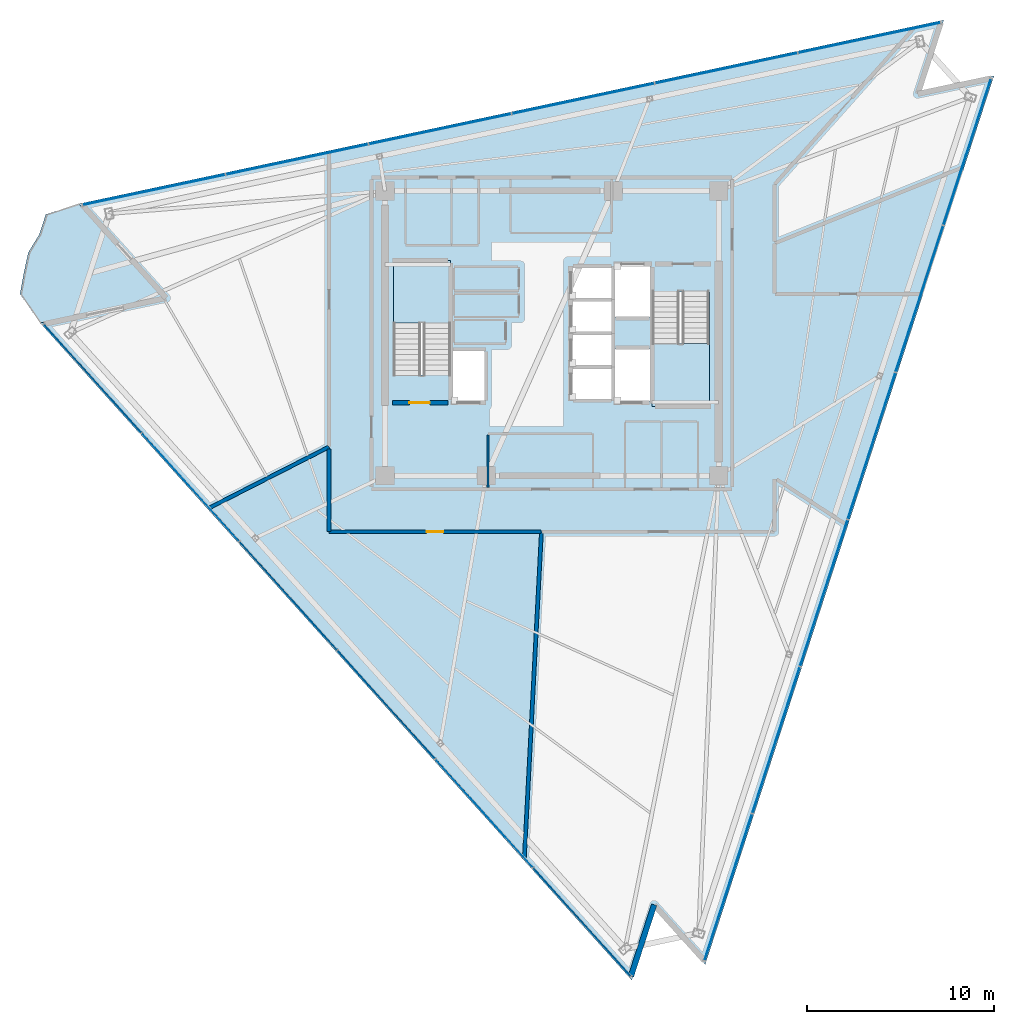
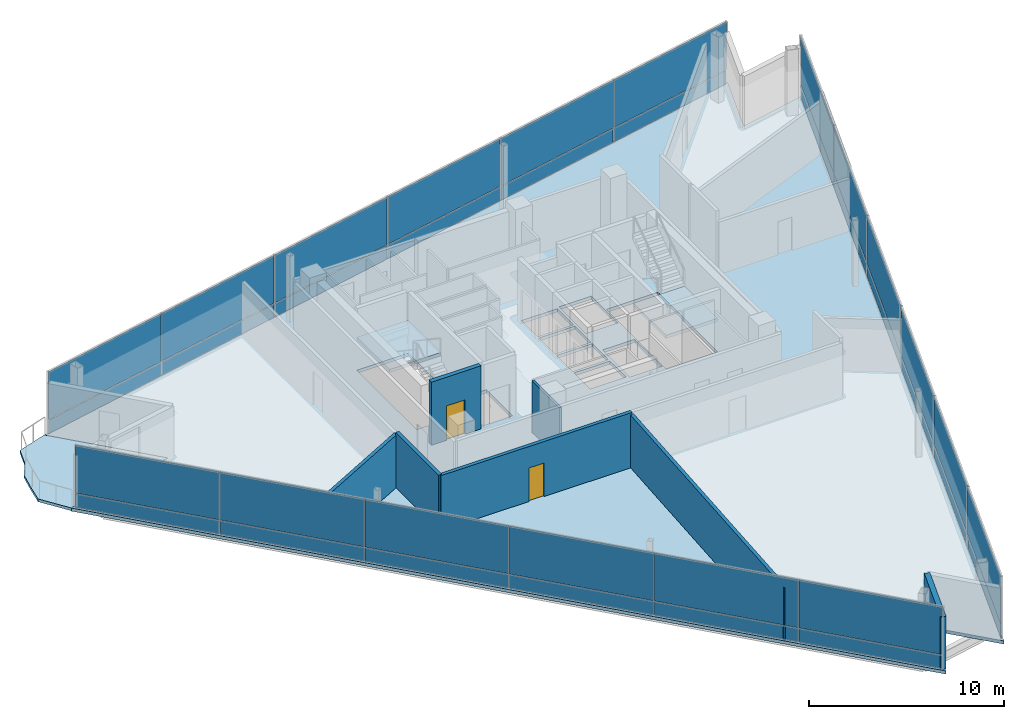
# One storey, part 10 of 17: 36 plates, 7 walls, 4 slabs, 2 doors, 2 openings, 5 elements without a shape of their own.
"""IFC4 building model written with IfcOpenShell, lengths in metres."""

from ifc_helpers import new_model, si_unit, direction, frame, frame_2d, origin, origin_2d, place, context, subcontext, project, spatial, polyline, rectangle, outline, extrude, material, layer, layer_set, type_object, element, fill, aggregate, save


model = new_model("IFC4")

# Units and contexts
model_context = context("Model", 3, precision=1e-05, world=origin(), true_north=direction((0.0, 1.0)))
body_context = subcontext(model_context, "Body", "Model", "MODEL_VIEW")
ifc_project = project(units=[si_unit("LENGTHUNIT", "METRE"), si_unit("AREAUNIT", "SQUARE_METRE"), si_unit("VOLUMEUNIT", "CUBIC_METRE"), si_unit("PLANEANGLEUNIT", "RADIAN"), si_unit("MASSUNIT", "GRAM", prefix="KILO")], contexts=[model_context])

# Site, building, storey
site_placement = place(None, origin())
site = spatial("IfcSite", under=ifc_project, at=site_placement, CompositionType="ELEMENT")
building_placement = place(site_placement, origin())
building = spatial("IfcBuilding", under=site, at=building_placement, Name="Tharavind Bronze Gate", CompositionType="ELEMENT")
storey_placement = place(building_placement, frame((0.0, 0.0, 298.0)))
storey = spatial("IfcBuildingStorey", under=building, at=storey_placement, Name="L77", CompositionType="ELEMENT", Elevation=298.0)

# Curtain wall, plates
ifc_material_1 = material(Name="Anodised Bronze Aluminium", Category="aluminium")
ifc_layer_1 = layer(ifc_material_1, 0.219970703125)
ifc_layer_set_1 = layer_set([ifc_layer_1], Name="Anodised Bronze Aluminium")
curtain_wall_type = type_object("IfcCurtainWallType", Name="UNITISED CURTAIN WALL CROWN", PredefinedType="USERDEFINED", material=ifc_layer_set_1)
curtain_wall_1_placement = place(storey_placement, origin())
curtain_wall_1 = element("IfcCurtainWall", 1, at=curtain_wall_1_placement, inside=storey, type_object=curtain_wall_type, Name="L77 unitised curtain wall crown CW-L77-S1", ObjectType="UNITISED CURTAIN WALL", PredefinedType="USERDEFINED")
ifc_material_2 = material(Name="Patinated Bronze Alloy Sheet", Category="bronze")
ifc_layer_2 = layer(ifc_material_2, 0.01611328125)
ifc_layer_set_2 = layer_set([ifc_layer_2], Name="Patinated Bronze Alloy Sheet")
plate_type_1 = type_object("IfcPlateType", Name="BRONZE SPANDREL CLADDING PANEL 16", PredefinedType="CURTAIN_PANEL", material=ifc_layer_set_2)
plate_1_placement = place(storey_placement, frame((-24.494873046875, -2.404052734375, 0.0263671875), z_axis=(0.0, 0.0, 1.0), x_axis=(0.669130606359, -0.743144825477, 0.0)))
plate_1 = element("IfcPlate", 2, at=plate_1_placement, type_object=plate_type_1, Name="CW-L77-S1 bronze spandrel panel 1", PredefinedType="CURTAIN_PANEL", context=body_context, shape_type="SweptSolid", body=[
    extrude(rectangle(XDim=7.749755859375, YDim=0.01611328125, at=origin_2d()), origin(), (0.0, 0.0, 1.0), 0.846923828125),
])
plate_2_placement = place(storey_placement, frame((-19.273681640625, -8.20263671875, 0.0263671875), z_axis=(0.0, 0.0, 1.0), x_axis=(0.669130606359, -0.743144825477, 0.0)))
plate_2 = element("IfcPlate", 3, at=plate_2_placement, type_object=plate_type_1, Name="CW-L77-S1 bronze spandrel panel 2", PredefinedType="CURTAIN_PANEL", context=body_context, shape_type="SweptSolid", body=[
    extrude(rectangle(XDim=7.749755859375, YDim=0.01611328125, at=origin_2d()), origin(), (0.0, 0.0, 1.0), 0.846923828125),
])
plate_3_placement = place(storey_placement, frame((-14.052734375, -14.001220703125, 0.0263671875), z_axis=(0.0, 0.0, 1.0), x_axis=(0.669130606359, -0.743144825477, 0.0)))
plate_3 = element("IfcPlate", 4, at=plate_3_placement, type_object=plate_type_1, Name="CW-L77-S1 bronze spandrel panel 3", PredefinedType="CURTAIN_PANEL", context=body_context, shape_type="SweptSolid", body=[
    extrude(rectangle(XDim=7.749755859375, YDim=0.01611328125, at=origin_2d()), origin(), (0.0, 0.0, 1.0), 0.846923828125),
])
plate_4_placement = place(storey_placement, frame((-8.831787109375, -19.7998046875, 0.0263671875), z_axis=(0.0, 0.0, 1.0), x_axis=(0.669130606359, -0.743144825477, 0.0)))
plate_4 = element("IfcPlate", 5, at=plate_4_placement, type_object=plate_type_1, Name="CW-L77-S1 bronze spandrel panel 4", PredefinedType="CURTAIN_PANEL", context=body_context, shape_type="SweptSolid", body=[
    extrude(rectangle(XDim=7.749755859375, YDim=0.01611328125, at=origin_2d()), origin(), (0.0, 0.0, 1.0), 0.846923828125),
])
plate_5_placement = place(storey_placement, frame((-3.610595703125, -25.59814453125, 0.0263671875), z_axis=(0.0, 0.0, 1.0), x_axis=(0.669130606359, -0.743144825477, 0.0)))
plate_5 = element("IfcPlate", 6, at=plate_5_placement, type_object=plate_type_1, Name="CW-L77-S1 bronze spandrel panel 5", PredefinedType="CURTAIN_PANEL", context=body_context, shape_type="SweptSolid", body=[
    extrude(rectangle(XDim=7.749755859375, YDim=0.01611328125, at=origin_2d()), origin(), (0.0, 0.0, 1.0), 0.846923828125),
])
plate_6_placement = place(storey_placement, frame((1.6103515625, -31.396728515625, 0.0263671875), z_axis=(0.0, 0.0, 1.0), x_axis=(0.669130606359, -0.743144825477, 0.0)))
plate_6 = element("IfcPlate", 7, at=plate_6_placement, type_object=plate_type_1, Name="CW-L77-S1 bronze spandrel panel 6", PredefinedType="CURTAIN_PANEL", context=body_context, shape_type="SweptSolid", body=[
    extrude(rectangle(XDim=7.749755859375, YDim=0.01611328125, at=origin_2d()), origin(), (0.0, 0.0, 1.0), 0.846923828125),
])

curtain_wall_2_placement = place(storey_placement, origin())
curtain_wall_2 = element("IfcCurtainWall", 8, at=curtain_wall_2_placement, inside=storey, type_object=curtain_wall_type, Name="L77 unitised curtain wall crown CW-L77-S2", ObjectType="UNITISED CURTAIN WALL", PredefinedType="USERDEFINED")
plate_7_placement = place(storey_placement, frame((9.41552734375, -29.54052734375, 0.0263671875), z_axis=(0.0, 0.0, 1.0), x_axis=(0.309016994375, 0.951056516295, 0.0)))
plate_7 = element("IfcPlate", 9, at=plate_7_placement, type_object=plate_type_1, Name="CW-L77-S2 bronze spandrel panel 1", PredefinedType="CURTAIN_PANEL", context=body_context, shape_type="SweptSolid", body=[
    extrude(rectangle(XDim=8.195068359375, YDim=0.01611328125, at=origin_2d()), origin(), (0.0, 0.0, 1.0), 0.846923828125),
])
plate_8_placement = place(storey_placement, frame((11.96435546875, -21.6962890625, 0.0263671875), z_axis=(0.0, 0.0, 1.0), x_axis=(0.309016994375, 0.951056516295, 0.0)))
plate_8 = element("IfcPlate", 10, at=plate_8_placement, type_object=plate_type_1, Name="CW-L77-S2 bronze spandrel panel 2", PredefinedType="CURTAIN_PANEL", context=body_context, shape_type="SweptSolid", body=[
    extrude(rectangle(XDim=8.195068359375, YDim=0.01611328125, at=origin_2d()), origin(), (0.0, 0.0, 1.0), 0.846923828125),
])
plate_9_placement = place(storey_placement, frame((14.51318359375, -13.851806640625, 0.0263671875), z_axis=(0.0, 0.0, 1.0), x_axis=(0.309016994375, 0.951056516295, 0.0)))
plate_9 = element("IfcPlate", 11, at=plate_9_placement, type_object=plate_type_1, Name="CW-L77-S2 bronze spandrel panel 3", PredefinedType="CURTAIN_PANEL", context=body_context, shape_type="SweptSolid", body=[
    extrude(rectangle(XDim=8.195068359375, YDim=0.01611328125, at=origin_2d()), origin(), (0.0, 0.0, 1.0), 0.846923828125),
])
plate_10_placement = place(storey_placement, frame((17.06201171875, -6.007568359375, 0.0263671875), z_axis=(0.0, 0.0, 1.0), x_axis=(0.309016994375, 0.951056516295, 0.0)))
plate_10 = element("IfcPlate", 12, at=plate_10_placement, type_object=plate_type_1, Name="CW-L77-S2 bronze spandrel panel 4", PredefinedType="CURTAIN_PANEL", context=body_context, shape_type="SweptSolid", body=[
    extrude(rectangle(XDim=8.195068359375, YDim=0.01611328125, at=origin_2d()), origin(), (0.0, 0.0, 1.0), 0.846923828125),
])
plate_11_placement = place(storey_placement, frame((19.610595703125, 1.8369140625, 0.0263671875), z_axis=(0.0, 0.0, 1.0), x_axis=(0.309016994375, 0.951056516295, 0.0)))
plate_11 = element("IfcPlate", 13, at=plate_11_placement, type_object=plate_type_1, Name="CW-L77-S2 bronze spandrel panel 5", PredefinedType="CURTAIN_PANEL", context=body_context, shape_type="SweptSolid", body=[
    extrude(rectangle(XDim=8.195068359375, YDim=0.01611328125, at=origin_2d()), origin(), (0.0, 0.0, 1.0), 0.846923828125),
])
plate_12_placement = place(storey_placement, frame((22.159423828125, 9.68115234375, 0.0263671875), z_axis=(0.0, 0.0, 1.0), x_axis=(0.309016994375, 0.951056516295, 0.0)))
plate_12 = element("IfcPlate", 14, at=plate_12_placement, type_object=plate_type_1, Name="CW-L77-S2 bronze spandrel panel 6", PredefinedType="CURTAIN_PANEL", context=body_context, shape_type="SweptSolid", body=[
    extrude(rectangle(XDim=8.195068359375, YDim=0.01611328125, at=origin_2d()), origin(), (0.0, 0.0, 1.0), 0.846923828125),
])

curtain_wall_3_placement = place(storey_placement, origin())
curtain_wall_3 = element("IfcCurtainWall", 15, at=curtain_wall_3_placement, inside=storey, type_object=curtain_wall_type, Name="L77 unitised curtain wall crown CW-L77-S3", ObjectType="UNITISED CURTAIN WALL", PredefinedType="USERDEFINED")
plate_13_placement = place(storey_placement, frame((16.935791015625, 15.770751953125, 0.0263671875), z_axis=(0.0, 0.0, 1.0), x_axis=(-0.978147237858, -0.207913398007, 0.0)))
plate_13 = element("IfcPlate", 16, at=plate_13_placement, type_object=plate_type_1, Name="CW-L77-S3 bronze spandrel panel 1", PredefinedType="CURTAIN_PANEL", context=body_context, shape_type="SweptSolid", body=[
    extrude(rectangle(XDim=7.749755859375, YDim=0.01611328125, at=origin_2d()), origin(), (0.0, 0.0, 1.0), 0.846923828125),
])
plate_14_placement = place(storey_placement, frame((9.3037109375, 14.1484375, 0.0263671875), z_axis=(0.0, 0.0, 1.0), x_axis=(-0.978147237858, -0.207913398007, 0.0)))
plate_14 = element("IfcPlate", 17, at=plate_14_placement, type_object=plate_type_1, Name="CW-L77-S3 bronze spandrel panel 2", PredefinedType="CURTAIN_PANEL", context=body_context, shape_type="SweptSolid", body=[
    extrude(rectangle(XDim=7.749755859375, YDim=0.01611328125, at=origin_2d()), origin(), (0.0, 0.0, 1.0), 0.846923828125),
])
plate_15_placement = place(storey_placement, frame((1.67138671875, 12.526123046875, 0.0263671875), z_axis=(0.0, 0.0, 1.0), x_axis=(-0.978147237858, -0.207913398007, 0.0)))
plate_15 = element("IfcPlate", 18, at=plate_15_placement, type_object=plate_type_1, Name="CW-L77-S3 bronze spandrel panel 3", PredefinedType="CURTAIN_PANEL", context=body_context, shape_type="SweptSolid", body=[
    extrude(rectangle(XDim=7.749755859375, YDim=0.01611328125, at=origin_2d()), origin(), (0.0, 0.0, 1.0), 0.846923828125),
])
plate_16_placement = place(storey_placement, frame((-5.960693359375, 10.90380859375, 0.0263671875), z_axis=(0.0, 0.0, 1.0), x_axis=(-0.978147237858, -0.207913398007, 0.0)))
plate_16 = element("IfcPlate", 19, at=plate_16_placement, type_object=plate_type_1, Name="CW-L77-S3 bronze spandrel panel 4", PredefinedType="CURTAIN_PANEL", context=body_context, shape_type="SweptSolid", body=[
    extrude(rectangle(XDim=7.749755859375, YDim=0.01611328125, at=origin_2d()), origin(), (0.0, 0.0, 1.0), 0.846923828125),
])
plate_17_placement = place(storey_placement, frame((-13.5927734375, 9.281494140625, 0.0263671875), z_axis=(0.0, 0.0, 1.0), x_axis=(-0.978147237858, -0.207913398007, 0.0)))
plate_17 = element("IfcPlate", 20, at=plate_17_placement, type_object=plate_type_1, Name="CW-L77-S3 bronze spandrel panel 5", PredefinedType="CURTAIN_PANEL", context=body_context, shape_type="SweptSolid", body=[
    extrude(rectangle(XDim=7.749755859375, YDim=0.01611328125, at=origin_2d()), origin(), (0.0, 0.0, 1.0), 0.846923828125),
])
plate_18_placement = place(storey_placement, frame((-21.22509765625, 7.6591796875, 0.0263671875), z_axis=(0.0, 0.0, 1.0), x_axis=(-0.978147237858, -0.207913398007, 0.0)))
plate_18 = element("IfcPlate", 21, at=plate_18_placement, type_object=plate_type_1, Name="CW-L77-S3 bronze spandrel panel 6", PredefinedType="CURTAIN_PANEL", context=body_context, shape_type="SweptSolid", body=[
    extrude(rectangle(XDim=7.749755859375, YDim=0.01611328125, at=origin_2d()), origin(), (0.0, 0.0, 1.0), 0.846923828125),
])

# Slab
ifc_material_3 = material(Name="Concrete C40/50", Category="concrete")
ifc_layer_3 = layer(ifc_material_3, 0.175048828125)
ifc_layer_set_3 = layer_set([ifc_layer_3], Name="Concrete C40/50")
slab_type_1 = type_object("IfcSlabType", Name="EXTERIOR BALCONY SLAB 175", PredefinedType="FLOOR", material=ifc_layer_set_3)
slab_1_placement = place(storey_placement, frame((0.0, 0.0, -0.175048828125)))
element("IfcSlab", 22, at=slab_1_placement, inside=storey, type_object=slab_type_1, Name="L77 northeast tree balcony slab", PredefinedType="FLOOR", context=body_context, shape_type="SweptSolid", body=[
    extrude(outline(polyline([(-26.992431640625, 6.34375), (-27.33642578125, 5.284912109375), (-27.927978515625, 4.306396484375), (-28.1650390625, 3.212890625), (-28.36865234375, 2.1083984375), (-27.29541015625, 0.556884765625), (-20.761474609375, 1.94580078125), (-25.231201171875, 6.909912109375), (-26.992431640625, 6.34375)])), origin(), (0.0, 0.0, 1.0), 0.175048828125),
])

# Stair, slab
stair_type = type_object("IfcStairType", Name="CORE HALF TURN STAIR 1450", PredefinedType="HALF_TURN_STAIR", material=ifc_material_3)
stair_1_placement = place(storey_placement, origin())
stair_1 = element("IfcStair", 23, at=stair_1_placement, inside=storey, type_object=stair_type, Name="L77 Protected Exit Stair ST1", PredefinedType="HALF_TURN_STAIR")
ifc_layer_4 = layer(ifc_material_3, 0.199951171875)
ifc_layer_set_4 = layer_set([ifc_layer_4], Name="Concrete C40/50")
slab_type_2 = type_object("IfcSlabType", Name="STAIR LANDING SLAB 200", PredefinedType="LANDING", material=ifc_layer_set_4)
slab_2_placement = place(storey_placement, frame((0.0, 0.0, 1.875)))
slab_2 = element("IfcSlab", 24, at=slab_2_placement, type_object=slab_type_2, Name="ST1 landing 1", PredefinedType="LANDING", context=body_context, shape_type="SweptSolid", body=[
    extrude(outline(polyline([(-5.39990234375, 0.550048828125), (-5.39990234375, 3.89990234375), (-8.449951171875, 3.89990234375), (-8.449951171875, 0.550048828125), (-5.39990234375, 0.550048828125)])), origin(), (0.0, 0.0, 1.0), 0.199951171875),
])
aggregate(stair_1, [slab_2])

stair_2_placement = place(storey_placement, origin())
stair_2 = element("IfcStair", 25, at=stair_2_placement, inside=storey, type_object=stair_type, Name="L77 Protected Exit Stair ST2", PredefinedType="HALF_TURN_STAIR")
slab_3_placement = place(storey_placement, frame((0.0, 0.0, 1.875)))
slab_3 = element("IfcSlab", 26, at=slab_3_placement, type_object=slab_type_2, Name="ST2 landing 1", PredefinedType="LANDING", context=body_context, shape_type="SweptSolid", body=[
    extrude(outline(polyline([(5.35009765625, -0.550048828125), (5.35009765625, -3.89990234375), (8.39990234375, -3.89990234375), (8.39990234375, -0.550048828125), (5.35009765625, -0.550048828125)])), origin(), (0.0, 0.0, 1.0), 0.199951171875),
])
aggregate(stair_2, [slab_3])

# Slab
ifc_layer_5 = layer(ifc_material_3, 0.199951171875)
ifc_layer_set_5 = layer_set([ifc_layer_5], Name="Concrete C40/50")
slab_type_3 = type_object("IfcSlabType", Name="STRUCTURAL FLOOR SLAB 200", PredefinedType="FLOOR", material=ifc_layer_set_5)
slab_4_placement = place(storey_placement, frame((0.0, 0.0, -0.199951171875)))
element("IfcSlab", 27, at=slab_4_placement, inside=storey, type_object=slab_type_3, Name="L77 main structural floor slab", PredefinedType="FLOOR", context=body_context, shape_type="SweptSolid", body=[
    extrude(outline(polyline([(-25.231201171875, 6.909912109375), (-20.761474609375, 1.94580078125), (-27.29541015625, 0.556884765625), (4.262451171875, -34.49169921875), (5.5009765625, -30.6796875), (8.182861328125, -33.658203125), (23.58251953125, 13.737060546875), (19.662109375, 12.90380859375), (20.900634765625, 16.7158203125), (-25.231201171875, 6.909912109375)]), holes=[polyline([(-5.39990234375, -2.215087890625), (-5.39990234375, 3.89990234375), (-8.449951171875, 3.89990234375), (-8.449951171875, -2.215087890625), (-5.39990234375, -2.215087890625)]), polyline([(5.35009765625, 2.215087890625), (5.35009765625, -3.89990234375), (8.39990234375, -3.89990234375), (8.39990234375, 2.215087890625), (5.35009765625, 2.215087890625)]), polyline([(1.080078125, -3.52001953125), (3.199951171875, -3.52001953125), (3.199951171875, -1.8798828125), (1.080078125, -1.8798828125), (1.080078125, -3.52001953125)]), polyline([(1.080078125, -1.719970703125), (3.199951171875, -1.719970703125), (3.199951171875, -0.080078125), (1.080078125, -0.080078125), (1.080078125, -1.719970703125)]), polyline([(1.080078125, 0.080078125), (3.199951171875, 0.080078125), (3.199951171875, 1.719970703125), (1.080078125, 1.719970703125), (1.080078125, 0.080078125)]), polyline([(1.080078125, 1.8798828125), (3.199951171875, 1.8798828125), (3.199951171875, 3.52001953125), (1.080078125, 3.52001953125), (1.080078125, 1.8798828125)]), polyline([(-5.320068359375, -3.6201171875), (-3.580078125, -3.6201171875), (-3.580078125, -0.929931640625), (-5.320068359375, -0.929931640625), (-5.320068359375, -3.6201171875)]), polyline([(3.360107421875, 0.8798828125), (5.27001953125, 0.8798828125), (5.27001953125, 3.6201171875), (3.360107421875, 3.6201171875), (3.360107421875, 0.8798828125)]), polyline([(3.360107421875, -3.6201171875), (5.27001953125, -3.6201171875), (5.27001953125, -0.830078125), (3.360107421875, -0.830078125), (3.360107421875, -3.6201171875)])]), origin(), (0.0, 0.0, 1.0), 0.199951171875),
])

# Plate
ifc_material_4 = material(Name="Triple Solar Control Glazing", Category="glass")
ifc_layer_6 = layer(ifc_material_4, 0.0439453125)
ifc_layer_set_6 = layer_set([ifc_layer_6], Name="Triple Solar Control Glazing")
plate_type_2 = type_object("IfcPlateType", Name="TRIPLE GLAZED FACADE PANEL 44", PredefinedType="CURTAIN_PANEL", material=ifc_layer_set_6)
plate_19_placement = place(storey_placement, frame((-24.494873046875, -2.404052734375, 0.926513671875), z_axis=(0.0, 0.0, 1.0), x_axis=(0.669130606359, -0.743144825477, 0.0)))
plate_19 = element("IfcPlate", 28, at=plate_19_placement, type_object=plate_type_2, Name="CW-L77-S1 vision glazing panel 1", PredefinedType="CURTAIN_PANEL", context=body_context, shape_type="SweptSolid", body=[
    extrude(rectangle(XDim=7.749755859375, YDim=0.0439453125, at=origin_2d()), origin(), (0.0, 0.0, 1.0), 2.9970703125),
])

plate_20_placement = place(storey_placement, frame((-19.273681640625, -8.20263671875, 0.926513671875), z_axis=(0.0, 0.0, 1.0), x_axis=(0.669130606359, -0.743144825477, 0.0)))
plate_20 = element("IfcPlate", 29, at=plate_20_placement, type_object=plate_type_2, Name="CW-L77-S1 vision glazing panel 2", PredefinedType="CURTAIN_PANEL", context=body_context, shape_type="SweptSolid", body=[
    extrude(rectangle(XDim=7.749755859375, YDim=0.0439453125, at=origin_2d()), origin(), (0.0, 0.0, 1.0), 2.9970703125),
])

plate_21_placement = place(storey_placement, frame((-14.052734375, -14.001220703125, 0.926513671875), z_axis=(0.0, 0.0, 1.0), x_axis=(0.669130606359, -0.743144825477, 0.0)))
plate_21 = element("IfcPlate", 30, at=plate_21_placement, type_object=plate_type_2, Name="CW-L77-S1 vision glazing panel 3", PredefinedType="CURTAIN_PANEL", context=body_context, shape_type="SweptSolid", body=[
    extrude(rectangle(XDim=7.749755859375, YDim=0.0439453125, at=origin_2d()), origin(), (0.0, 0.0, 1.0), 2.9970703125),
])

plate_22_placement = place(storey_placement, frame((-8.831787109375, -19.7998046875, 0.926513671875), z_axis=(0.0, 0.0, 1.0), x_axis=(0.669130606359, -0.743144825477, 0.0)))
plate_22 = element("IfcPlate", 31, at=plate_22_placement, type_object=plate_type_2, Name="CW-L77-S1 vision glazing panel 4", PredefinedType="CURTAIN_PANEL", context=body_context, shape_type="SweptSolid", body=[
    extrude(rectangle(XDim=7.749755859375, YDim=0.0439453125, at=origin_2d()), origin(), (0.0, 0.0, 1.0), 2.9970703125),
])

plate_23_placement = place(storey_placement, frame((-3.610595703125, -25.59814453125, 0.926513671875), z_axis=(0.0, 0.0, 1.0), x_axis=(0.669130606359, -0.743144825477, 0.0)))
plate_23 = element("IfcPlate", 32, at=plate_23_placement, type_object=plate_type_2, Name="CW-L77-S1 vision glazing panel 5", PredefinedType="CURTAIN_PANEL", context=body_context, shape_type="SweptSolid", body=[
    extrude(rectangle(XDim=7.749755859375, YDim=0.0439453125, at=origin_2d()), origin(), (0.0, 0.0, 1.0), 2.9970703125),
])

plate_24_placement = place(storey_placement, frame((1.6103515625, -31.396728515625, 0.926513671875), z_axis=(0.0, 0.0, 1.0), x_axis=(0.669130606359, -0.743144825477, 0.0)))
plate_24 = element("IfcPlate", 33, at=plate_24_placement, type_object=plate_type_2, Name="CW-L77-S1 vision glazing panel 6", PredefinedType="CURTAIN_PANEL", context=body_context, shape_type="SweptSolid", body=[
    extrude(rectangle(XDim=7.749755859375, YDim=0.0439453125, at=origin_2d()), origin(), (0.0, 0.0, 1.0), 2.9970703125),
])

aggregate(curtain_wall_1, [plate_1, plate_19, plate_2, plate_20, plate_3, plate_21, plate_4, plate_22, plate_5, plate_23, plate_6, plate_24])

plate_25_placement = place(storey_placement, frame((9.41552734375, -29.54052734375, 0.926513671875), z_axis=(0.0, 0.0, 1.0), x_axis=(0.309016994375, 0.951056516295, 0.0)))
plate_25 = element("IfcPlate", 34, at=plate_25_placement, type_object=plate_type_2, Name="CW-L77-S2 vision glazing panel 1", PredefinedType="CURTAIN_PANEL", context=body_context, shape_type="SweptSolid", body=[
    extrude(rectangle(XDim=8.195068359375, YDim=0.0439453125, at=origin_2d()), origin(), (0.0, 0.0, 1.0), 2.9970703125),
])

plate_26_placement = place(storey_placement, frame((11.96435546875, -21.6962890625, 0.926513671875), z_axis=(0.0, 0.0, 1.0), x_axis=(0.309016994375, 0.951056516295, 0.0)))
plate_26 = element("IfcPlate", 35, at=plate_26_placement, type_object=plate_type_2, Name="CW-L77-S2 vision glazing panel 2", PredefinedType="CURTAIN_PANEL", context=body_context, shape_type="SweptSolid", body=[
    extrude(rectangle(XDim=8.195068359375, YDim=0.0439453125, at=origin_2d()), origin(), (0.0, 0.0, 1.0), 2.9970703125),
])

plate_27_placement = place(storey_placement, frame((14.51318359375, -13.851806640625, 0.926513671875), z_axis=(0.0, 0.0, 1.0), x_axis=(0.309016994375, 0.951056516295, 0.0)))
plate_27 = element("IfcPlate", 36, at=plate_27_placement, type_object=plate_type_2, Name="CW-L77-S2 vision glazing panel 3", PredefinedType="CURTAIN_PANEL", context=body_context, shape_type="SweptSolid", body=[
    extrude(rectangle(XDim=8.195068359375, YDim=0.0439453125, at=origin_2d()), origin(), (0.0, 0.0, 1.0), 2.9970703125),
])

plate_28_placement = place(storey_placement, frame((17.06201171875, -6.007568359375, 0.926513671875), z_axis=(0.0, 0.0, 1.0), x_axis=(0.309016994375, 0.951056516295, 0.0)))
plate_28 = element("IfcPlate", 37, at=plate_28_placement, type_object=plate_type_2, Name="CW-L77-S2 vision glazing panel 4", PredefinedType="CURTAIN_PANEL", context=body_context, shape_type="SweptSolid", body=[
    extrude(rectangle(XDim=8.195068359375, YDim=0.0439453125, at=origin_2d()), origin(), (0.0, 0.0, 1.0), 2.9970703125),
])

plate_29_placement = place(storey_placement, frame((19.610595703125, 1.8369140625, 0.926513671875), z_axis=(0.0, 0.0, 1.0), x_axis=(0.309016994375, 0.951056516295, 0.0)))
plate_29 = element("IfcPlate", 38, at=plate_29_placement, type_object=plate_type_2, Name="CW-L77-S2 vision glazing panel 5", PredefinedType="CURTAIN_PANEL", context=body_context, shape_type="SweptSolid", body=[
    extrude(rectangle(XDim=8.195068359375, YDim=0.0439453125, at=origin_2d()), origin(), (0.0, 0.0, 1.0), 2.9970703125),
])

plate_30_placement = place(storey_placement, frame((22.159423828125, 9.68115234375, 0.926513671875), z_axis=(0.0, 0.0, 1.0), x_axis=(0.309016994375, 0.951056516295, 0.0)))
plate_30 = element("IfcPlate", 39, at=plate_30_placement, type_object=plate_type_2, Name="CW-L77-S2 vision glazing panel 6", PredefinedType="CURTAIN_PANEL", context=body_context, shape_type="SweptSolid", body=[
    extrude(rectangle(XDim=8.195068359375, YDim=0.0439453125, at=origin_2d()), origin(), (0.0, 0.0, 1.0), 2.9970703125),
])

aggregate(curtain_wall_2, [plate_7, plate_25, plate_8, plate_26, plate_9, plate_27, plate_10, plate_28, plate_11, plate_29, plate_12, plate_30])

plate_31_placement = place(storey_placement, frame((16.935791015625, 15.770751953125, 0.926513671875), z_axis=(0.0, 0.0, 1.0), x_axis=(-0.978147237858, -0.207913398007, 0.0)))
plate_31 = element("IfcPlate", 40, at=plate_31_placement, type_object=plate_type_2, Name="CW-L77-S3 vision glazing panel 1", PredefinedType="CURTAIN_PANEL", context=body_context, shape_type="SweptSolid", body=[
    extrude(rectangle(XDim=7.749755859375, YDim=0.0439453125, at=origin_2d()), origin(), (0.0, 0.0, 1.0), 2.9970703125),
])

plate_32_placement = place(storey_placement, frame((9.3037109375, 14.1484375, 0.926513671875), z_axis=(0.0, 0.0, 1.0), x_axis=(-0.978147237858, -0.207913398007, 0.0)))
plate_32 = element("IfcPlate", 41, at=plate_32_placement, type_object=plate_type_2, Name="CW-L77-S3 vision glazing panel 2", PredefinedType="CURTAIN_PANEL", context=body_context, shape_type="SweptSolid", body=[
    extrude(rectangle(XDim=7.749755859375, YDim=0.0439453125, at=origin_2d()), origin(), (0.0, 0.0, 1.0), 2.9970703125),
])

plate_33_placement = place(storey_placement, frame((1.67138671875, 12.526123046875, 0.926513671875), z_axis=(0.0, 0.0, 1.0), x_axis=(-0.978147237858, -0.207913398007, 0.0)))
plate_33 = element("IfcPlate", 42, at=plate_33_placement, type_object=plate_type_2, Name="CW-L77-S3 vision glazing panel 3", PredefinedType="CURTAIN_PANEL", context=body_context, shape_type="SweptSolid", body=[
    extrude(rectangle(XDim=7.749755859375, YDim=0.0439453125, at=origin_2d()), origin(), (0.0, 0.0, 1.0), 2.9970703125),
])

plate_34_placement = place(storey_placement, frame((-5.960693359375, 10.90380859375, 0.926513671875), z_axis=(0.0, 0.0, 1.0), x_axis=(-0.978147237858, -0.207913398007, 0.0)))
plate_34 = element("IfcPlate", 43, at=plate_34_placement, type_object=plate_type_2, Name="CW-L77-S3 vision glazing panel 4", PredefinedType="CURTAIN_PANEL", context=body_context, shape_type="SweptSolid", body=[
    extrude(rectangle(XDim=7.749755859375, YDim=0.0439453125, at=origin_2d()), origin(), (0.0, 0.0, 1.0), 2.9970703125),
])

plate_35_placement = place(storey_placement, frame((-13.5927734375, 9.281494140625, 0.926513671875), z_axis=(0.0, 0.0, 1.0), x_axis=(-0.978147237858, -0.207913398007, 0.0)))
plate_35 = element("IfcPlate", 44, at=plate_35_placement, type_object=plate_type_2, Name="CW-L77-S3 vision glazing panel 5", PredefinedType="CURTAIN_PANEL", context=body_context, shape_type="SweptSolid", body=[
    extrude(rectangle(XDim=7.749755859375, YDim=0.0439453125, at=origin_2d()), origin(), (0.0, 0.0, 1.0), 2.9970703125),
])

plate_36_placement = place(storey_placement, frame((-21.22509765625, 7.6591796875, 0.926513671875), z_axis=(0.0, 0.0, 1.0), x_axis=(-0.978147237858, -0.207913398007, 0.0)))
plate_36 = element("IfcPlate", 45, at=plate_36_placement, type_object=plate_type_2, Name="CW-L77-S3 vision glazing panel 6", PredefinedType="CURTAIN_PANEL", context=body_context, shape_type="SweptSolid", body=[
    extrude(rectangle(XDim=7.749755859375, YDim=0.0439453125, at=origin_2d()), origin(), (0.0, 0.0, 1.0), 2.9970703125),
])

aggregate(curtain_wall_3, [plate_13, plate_31, plate_14, plate_32, plate_15, plate_33, plate_16, plate_34, plate_17, plate_35, plate_18, plate_36])

# Walls
ifc_layer_7 = layer(ifc_material_3, 0.300048828125)
ifc_layer_set_7 = layer_set([ifc_layer_7], Name="Concrete C40/50")
wall_type_1 = type_object("IfcWallType", Name="EXTERIOR SPANDREL WALL 300", PredefinedType="STANDARD", material=ifc_layer_set_7)
wall_1_placement = place(storey_placement, frame((4.220703125, -34.2958984375, 0.0), z_axis=(0.0, 0.0, 1.0), x_axis=(0.309018580232, 0.951056001018, 0.0)))
element("IfcWall", 46, at=wall_1_placement, inside=storey, type_object=wall_type_1, Name="L77 notch cheek wall 2A", PredefinedType="STANDARD", context=body_context, shape_type="SweptSolid", body=[
    extrude(rectangle(XDim=4.0078125, YDim=0.300048828125, at=frame_2d((2.00390625, 0.0))), origin(), (0.0, 0.0, 1.0), 3.294921875),
])
ifc_material_5 = material(Name="Aerated Concrete Block", Category="concrete")
ifc_layer_8 = layer(ifc_material_5, 0.199951171875)
ifc_layer_set_8 = layer_set([ifc_layer_8], Name="Aerated Concrete Block")
wall_type_2 = type_object("IfcWallType", Name="FIRE RATED PARTITION 200", PredefinedType="PARTITIONING", material=ifc_layer_set_8)
wall_2_placement = place(storey_placement, frame((-11.893798828125, -6.06005859375, 0.0), z_axis=(0.0, 0.0, 1.0), x_axis=(-0.890996976005, -0.454009238617, 0.0)))
element("IfcWall", 47, at=wall_2_placement, inside=storey, type_object=wall_type_2, Name="L77 Curator Management Office partition", PredefinedType="PARTITIONING", context=body_context, shape_type="SweptSolid", body=[
    extrude(rectangle(XDim=7.142822265625, YDim=0.199951171875, at=frame_2d((3.5712890625, 0.0))), origin(), (0.0, 0.0, 1.0), 3.294921875),
])
wall_3_placement = place(storey_placement, frame((-11.8798828125, -6.1708984375, 0.0), z_axis=(0.0, 0.0, 1.0), x_axis=(0.0, -1.0, 0.0)))
element("IfcWall", 48, at=wall_3_placement, inside=storey, type_object=wall_type_2, Name="L77 Commercial Catering Kitchen partition", PredefinedType="PARTITIONING", context=body_context, shape_type="SweptSolid", body=[
    extrude(rectangle(XDim=4.408447265625, YDim=0.199951171875, at=frame_2d((2.2041015625, 0.0))), origin(), (0.0, 0.0, 1.0), 3.445068359375),
])

# Wall, opening, door
wall_4_placement = place(storey_placement, frame((-11.87939453125, -10.580078125, 0.0), z_axis=(0.0, 0.0, 1.0), x_axis=(1.0, 0.0, 0.0)))
wall_4 = element("IfcWall", 49, at=wall_4_placement, inside=storey, type_object=wall_type_2, Name="L77 Commercial Catering Kitchen partition", PredefinedType="PARTITIONING", context=body_context, shape_type="SweptSolid", body=[
    extrude(rectangle(XDim=11.298583984375, YDim=0.199951171875, at=frame_2d((5.6494140625, 0.0))), origin(), (0.0, 0.0, 1.0), 3.445068359375),
])
opening_1_placement = place(wall_4_placement, frame((5.198974609375, 0.0, 0.0)))
opening_1 = element("IfcOpeningElement", 50, at=opening_1_placement, cuts=wall_4, Name="Opening ID07", PredefinedType="OPENING", context=body_context, shape_type="SweptSolid", body=[
    extrude(rectangle(XDim=0.89990234375, YDim=2.10009765625, at=frame_2d((0.449951171875, 1.050048828125))), frame((0.0, 0.11009765625, 0.0), z_axis=(0.0, -1.0, 0.0), x_axis=(1.0, 0.0, 0.0)), (0.0, 0.0, 1.0), 0.219951171875),
])
ifc_material_6 = material(Name="Galvanised Fire Steel", Category="steel")
door_type_1 = type_object("IfcDoorType", Name="PLANT AND RISER FIRE DOOR 900X2100", OperationType="SINGLE_SWING_LEFT", PredefinedType="DOOR", material=ifc_material_6)
door_1_placement = place(opening_1_placement, origin())
door_1 = element("IfcDoor", 51, at=door_1_placement, inside=storey, type_object=door_type_1, Name="L77 Commercial Catering Kitchen door", OperationType="SINGLE_SWING_LEFT", OverallHeight=2.10009765625, OverallWidth=0.89990234375, PredefinedType="DOOR", context=body_context, shape_type="SweptSolid", body=[
    extrude(rectangle(XDim=0.89990234375, YDim=2.10009765625, at=frame_2d((0.449951171875, 1.050048828125))), frame((0.0, 0.02490234375, 0.0), z_axis=(0.0, -1.0, 0.0), x_axis=(1.0, 0.0, 0.0)), (0.0, 0.0, 1.0), 0.050048828125),
])
fill(opening_1, door_1)

# Walls
wall_5_placement = place(storey_placement, frame((-0.555908203125, -10.606201171875, 0.0), z_axis=(0.0, 0.0, 1.0), x_axis=(-0.052329765113, -0.998629859199, 0.0)))
element("IfcWall", 52, at=wall_5_placement, inside=storey, type_object=wall_type_2, Name="L77 Commercial Catering Kitchen partition", PredefinedType="PARTITIONING", context=body_context, shape_type="SweptSolid", body=[
    extrude(rectangle(XDim=17.3974609375, YDim=0.199951171875, at=frame_2d((8.69873046875, 0.0))), origin(), (0.0, 0.0, 1.0), 3.294921875),
])
ifc_material_7 = material(Name="Metal Stud Gypsum Partition", Category="gypsum")
ifc_layer_9 = layer(ifc_material_7, 0.1201171875)
ifc_layer_set_9 = layer_set([ifc_layer_9], Name="Metal Stud Gypsum Partition")
wall_type_3 = type_object("IfcWallType", Name="INTERIOR PARTITION WALL 120", PredefinedType="PARTITIONING", material=ifc_layer_set_9)
wall_6_placement = place(storey_placement, frame((-3.39990234375, -5.4150390625, 0.0), z_axis=(0.0, 0.0, 1.0), x_axis=(0.0, -1.0, 0.0)))
element("IfcWall", 53, at=wall_6_placement, inside=storey, type_object=wall_type_3, Name="L77 Core BMS Control Room partition 4", PredefinedType="PARTITIONING", context=body_context, shape_type="SweptSolid", body=[
    extrude(rectangle(XDim=2.800048828125, YDim=0.1201171875, at=frame_2d((1.39990234375, 0.0))), origin(), (0.0, 0.0, 1.0), 3.2451171875),
])

# Wall, opening, door
ifc_material_8 = material(Name="Concrete C50/60", Category="concrete")
ifc_layer_10 = layer(ifc_material_8, 0.25)
ifc_layer_set_10 = layer_set([ifc_layer_10], Name="Concrete C50/60")
wall_type_4 = type_object("IfcWallType", Name="RC CORE SHEAR WALL 250", PredefinedType="SHEAR", material=ifc_layer_set_10)
wall_7_placement = place(storey_placement, frame((-8.5, -3.699951171875, 0.0), z_axis=(0.0, 0.0, 1.0), x_axis=(1.0, 0.0, 0.0)))
wall_7 = element("IfcWall", 54, at=wall_7_placement, inside=storey, type_object=wall_type_4, Name="L77 ST1 shaft south wall", PredefinedType="SHEAR", context=body_context, shape_type="SweptSolid", body=[
    extrude(rectangle(XDim=2.949951171875, YDim=0.25, at=frame_2d((1.47509765625, 0.0))), origin(), (0.0, 0.0, 1.0), 3.949951171875),
])
opening_2_placement = place(wall_7_placement, frame((0.89990234375, 0.0, 0.0)))
opening_2 = element("IfcOpeningElement", 55, at=opening_2_placement, cuts=wall_7, Name="Opening ID01", PredefinedType="OPENING", context=body_context, shape_type="SweptSolid", body=[
    extrude(rectangle(XDim=1.10009765625, YDim=2.14990234375, at=frame_2d((0.550048828125, 1.074951171875))), frame((0.0, 0.135, 0.0), z_axis=(0.0, -1.0, 0.0), x_axis=(1.0, 0.0, 0.0)), (0.0, 0.0, 1.0), 0.27),
])
ifc_material_9 = material(Name="Fire-Rated Steel", Category="steel")
door_type_2 = type_object("IfcDoorType", Name="STAIR CORE FIRE DOOR 1100X2150", OperationType="SINGLE_SWING_LEFT", PredefinedType="DOOR", material=ifc_material_9)
door_2_placement = place(opening_2_placement, origin())
door_2 = element("IfcDoor", 56, at=door_2_placement, inside=storey, type_object=door_type_2, Name="L77 exit stair ST1 fire door", OperationType="SINGLE_SWING_LEFT", OverallHeight=2.14990234375, OverallWidth=1.10009765625, PredefinedType="DOOR", context=body_context, shape_type="SweptSolid", body=[
    extrude(rectangle(XDim=1.10009765625, YDim=2.14990234375, at=frame_2d((0.550048828125, 1.074951171875))), frame((0.0, 0.02490234375, 0.0), z_axis=(0.0, -1.0, 0.0), x_axis=(1.0, 0.0, 0.0)), (0.0, 0.0, 1.0), 0.050048828125),
])
fill(opening_2, door_2)

save(model, "model.ifc")
